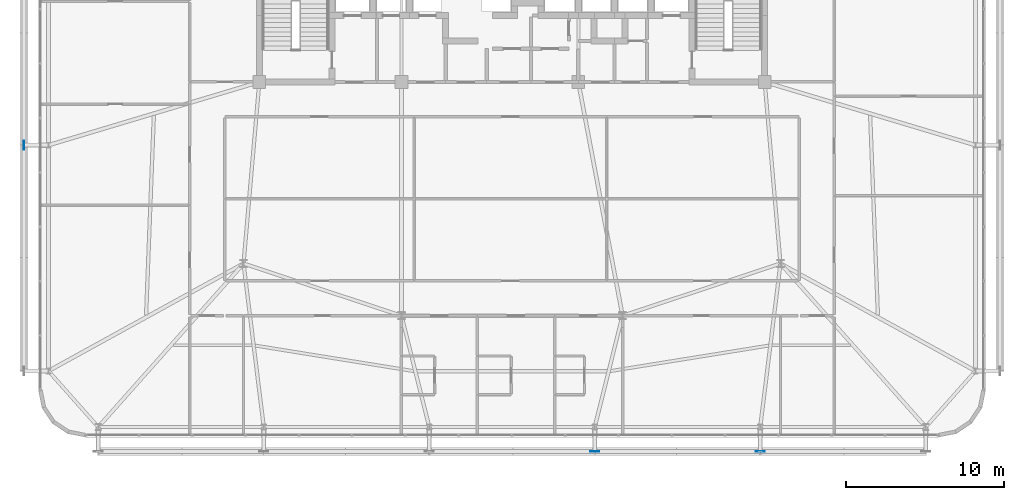
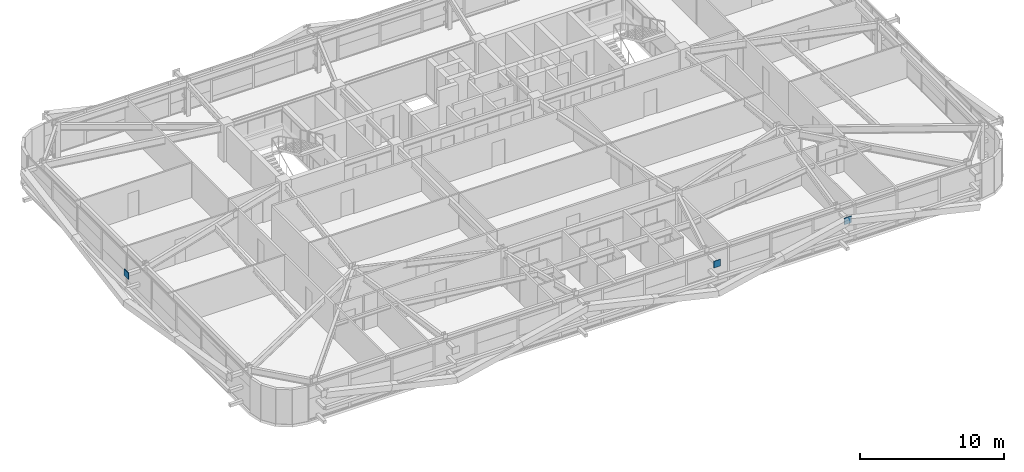
# One storey, part 46 of 59: 3 plates.
"""IFC4 building model written with IfcOpenShell, lengths in metres."""

from ifc_helpers import new_model, si_unit, direction, frame, origin, origin_2d, place, context, subcontext, project, spatial, rectangle, extrude, source, transform, mapped, material, layer, layer_set, type_object, element, save


model = new_model("IFC4")

# Units and contexts
model_context = context("Model", 3, precision=1e-05, world=origin(), true_north=direction((0.0, 1.0)))
body_context = subcontext(model_context, "Body", "Model", "MODEL_VIEW")
ifc_project = project(units=[si_unit("LENGTHUNIT", "METRE"), si_unit("AREAUNIT", "SQUARE_METRE"), si_unit("VOLUMEUNIT", "CUBIC_METRE"), si_unit("PLANEANGLEUNIT", "RADIAN"), si_unit("MASSUNIT", "GRAM", prefix="KILO")], contexts=[model_context])

# Site, building, storey
site_placement = place(None, origin())
site = spatial("IfcSite", under=ifc_project, at=site_placement, CompositionType="ELEMENT")
building_placement = place(site_placement, origin())
building = spatial("IfcBuilding", under=site, at=building_placement, Name="Taldren Reach Tower", CompositionType="ELEMENT")
storey_placement = place(building_placement, frame((0.0, 0.0, 45.14990234375)))
storey = spatial("IfcBuildingStorey", under=building, at=storey_placement, Name="L13", CompositionType="ELEMENT", Elevation=45.14990234375)

# Plates
ifc_material = material(Name="Steel Gr 450 (C450L0)", Category="steel")
ifc_layer = layer(ifc_material, 0.0400390625)
ifc_layer_set = layer_set([ifc_layer], Name="Steel Gr 450 (C450L0)")
plate_type = type_object("IfcPlateType", Name="PL-GUSSET-40", PredefinedType="SHEET", material=ifc_layer_set)
shared_shape = source(origin(), body_context, "Body", "SweptSolid", [
    extrude(rectangle(XDim=0.56005859375, YDim=0.0400390625, at=origin_2d()), origin(), (0.0, 0.0, 1.0), 0.56005859375),
])
for number, where, z_axis, x_axis, name in (
    (1, (40.239990234375, 0.60009765625, 2.3701171875), (0.0, 0.0, 1.0), (1.0, 0.0, 0.0), "Exoskeleton star-node gusset plate B1-S4 L13"),
    (2, (50.719970703125, 0.60009765625, 2.3701171875), (0.0, 0.0, 1.0), (1.0, 0.0, 0.0), "Exoskeleton star-node gusset plate B1-S5 L13"),
    (3, (4.10009765625, 20.0, 2.3701171875), (0.0, 0.0, 1.0), (0.0, 1.0, 0.0), "Exoskeleton star-node gusset plate B1-W2 L13"),
):
    element("IfcPlate", number, at=place(storey_placement, frame(where, z_axis=z_axis, x_axis=x_axis)), inside=storey, type_object=plate_type, Name=name, PredefinedType="SHEET", context=body_context, shape_type="MappedRepresentation", body=[
        mapped(shared_shape, transform((0.0, 0.0, 0.0), scale=1.0)),
    ])

save(model, "model.ifc")
